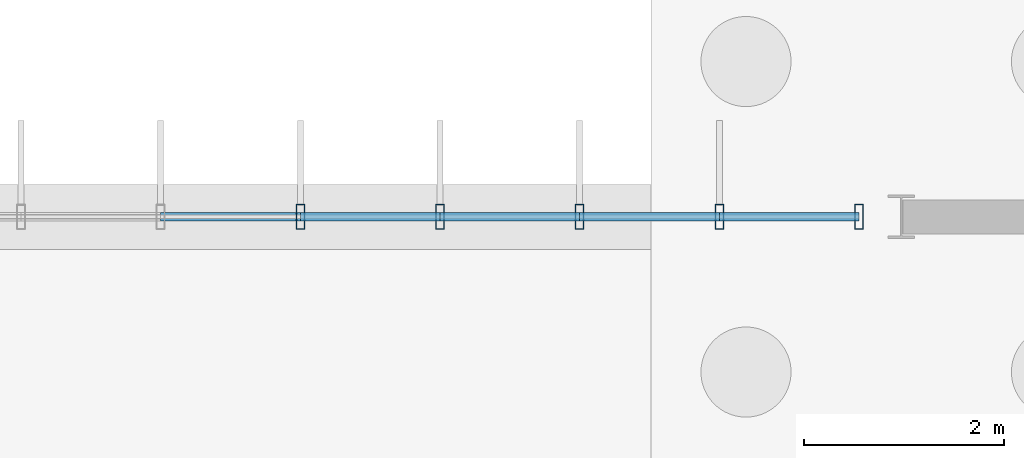
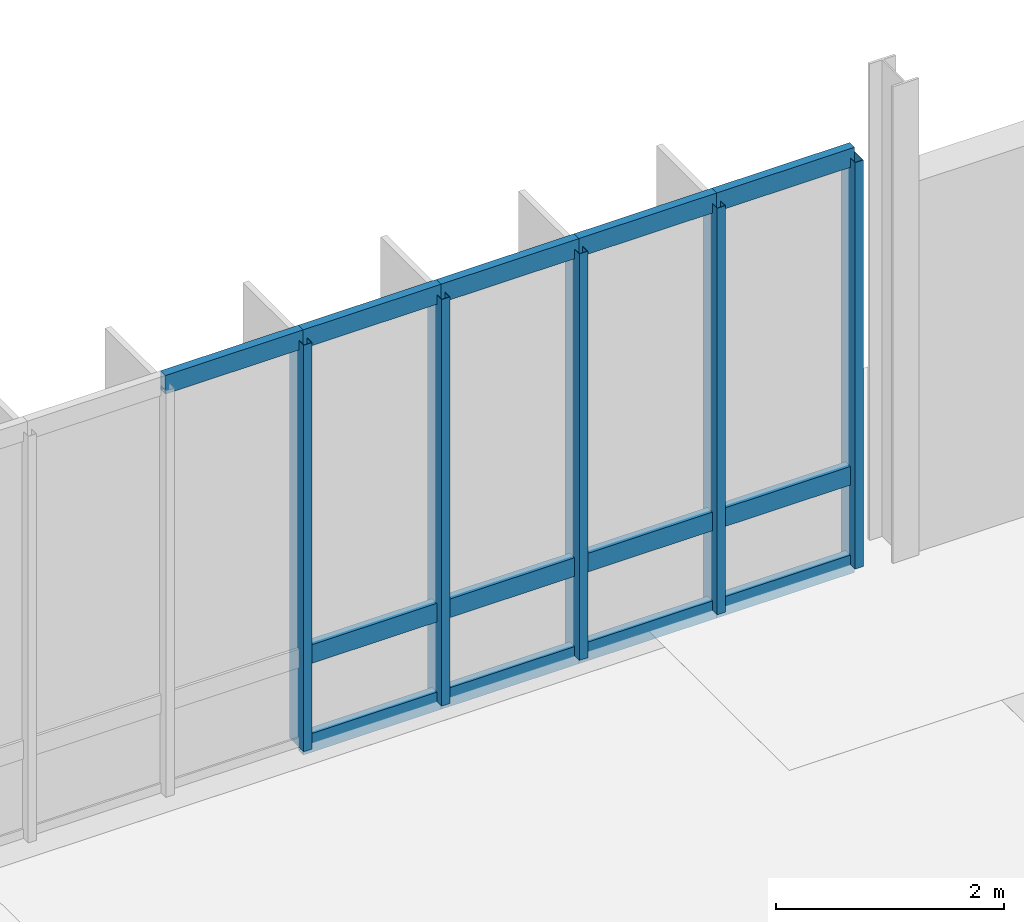
# One storey, part 63 of 119: 18 members, 1 element without a shape of its own.
"""IFC4 building model written with IfcOpenShell, lengths in metres."""

from ifc_helpers import new_model, si_unit, derived_unit, direction, frame, origin, origin_2d, place, context, subcontext, project, spatial, hollow_rectangle, extrude, material, layer, layer_set, material_profile, profile_set, type_object, element, aggregate, save


model = new_model("IFC4")

# Units and contexts
model_context = context("Model", 3, precision=1e-05, world=origin(), true_north=direction((0.0, 1.0)))
body_context = subcontext(model_context, "Body", "Model", "MODEL_VIEW")
ifc_project = project(units=[si_unit("LENGTHUNIT", "METRE"), si_unit("AREAUNIT", "SQUARE_METRE"), si_unit("VOLUMEUNIT", "CUBIC_METRE"), si_unit("PLANEANGLEUNIT", "RADIAN"), si_unit("MASSUNIT", "GRAM", prefix="KILO"), derived_unit("THERMALTRANSMITTANCEUNIT", [(si_unit("MASSUNIT", "GRAM", prefix="KILO"), 1), (si_unit("TIMEUNIT", "SECOND"), -3), (si_unit("THERMODYNAMICTEMPERATUREUNIT", "KELVIN"), -1)])], contexts=[model_context])

# Site, building, storey
site_placement = place(None, origin())
site = spatial("IfcSite", under=ifc_project, at=site_placement, CompositionType="ELEMENT")
building_placement = place(site_placement, origin())
building = spatial("IfcBuilding", under=site, at=building_placement, Name="Makaiwela Harbour Ferry Terminal", CompositionType="ELEMENT")
storey_placement = place(building_placement, origin())
storey = spatial("IfcBuildingStorey", under=building, at=storey_placement, Name="L00", CompositionType="ELEMENT", Elevation=0.0)

# Curtain wall, members
ifc_material = material(Name="Marine anodised aluminium 6063-T6", Category="aluminium")
ifc_layer = layer(ifc_material, 0.199951171875)
ifc_layer_set = layer_set([ifc_layer], Name="Marine anodised aluminium 6063-T6")
curtain_wall_type = type_object("IfcCurtainWallType", Name="ENV-CW-16", PredefinedType="USERDEFINED", material=ifc_layer_set)
curtain_wall_placement = place(storey_placement, origin())
curtain_wall = element("IfcCurtainWall", 1, at=curtain_wall_placement, inside=storey, type_object=curtain_wall_type, Name="Unitised Curtain Wall CWA-128", ObjectType="UNITIZED CURTAIN WALL", PredefinedType="USERDEFINED")
ifc_material_profile_1 = material_profile(ifc_material, hollow_rectangle(XDim=0.0849609375, YDim=0.25, WallThickness=0.0048828125, at=origin_2d()), Name="CWM-250X85")
ifc_profile_set_1 = profile_set([ifc_material_profile_1], Name="Marine anodised aluminium 6063-T6")
member_type_1 = type_object("IfcMemberType", Name="CW-MUL-250", PredefinedType="MULLION", material=ifc_profile_set_1)
member_1_placement = place(storey_placement, frame((161.39990234375, 95.0, 0.0), z_axis=(0.0, 0.0, 1.0), x_axis=(1.0, 0.0, 0.0)))
member_1 = element("IfcMember", 2, at=member_1_placement, type_object=member_type_1, Name="Curtain Wall Mullion CWA-128-5", PredefinedType="MULLION", context=body_context, shape_type="SweptSolid", body=[
    extrude(hollow_rectangle(XDim=0.0849609375, YDim=0.25, WallThickness=0.0048828125, at=origin_2d()), origin(), (0.0, 0.0, 1.0), 4.35009765625),
])
member_2_placement = place(storey_placement, frame((162.794921875, 95.0, 0.0), z_axis=(0.0, 0.0, 1.0), x_axis=(1.0, 0.0, 0.0)))
member_2 = element("IfcMember", 3, at=member_2_placement, type_object=member_type_1, Name="Curtain Wall Mullion CWA-128-6", PredefinedType="MULLION", context=body_context, shape_type="SweptSolid", body=[
    extrude(hollow_rectangle(XDim=0.0849609375, YDim=0.25, WallThickness=0.0048828125, at=origin_2d()), origin(), (0.0, 0.0, 1.0), 4.35009765625),
])
member_3_placement = place(storey_placement, frame((164.18994140625, 95.0, 0.0), z_axis=(0.0, 0.0, 1.0), x_axis=(1.0, 0.0, 0.0)))
member_3 = element("IfcMember", 4, at=member_3_placement, type_object=member_type_1, Name="Curtain Wall Mullion CWA-128-7", PredefinedType="MULLION", context=body_context, shape_type="SweptSolid", body=[
    extrude(hollow_rectangle(XDim=0.0849609375, YDim=0.25, WallThickness=0.0048828125, at=origin_2d()), origin(), (0.0, 0.0, 1.0), 4.35009765625),
])
member_4_placement = place(storey_placement, frame((165.5849609375, 95.0, 0.0), z_axis=(0.0, 0.0, 1.0), x_axis=(1.0, 0.0, 0.0)))
member_4 = element("IfcMember", 5, at=member_4_placement, type_object=member_type_1, Name="Curtain Wall Mullion CWA-128-8", PredefinedType="MULLION", context=body_context, shape_type="SweptSolid", body=[
    extrude(hollow_rectangle(XDim=0.0849609375, YDim=0.25, WallThickness=0.0048828125, at=origin_2d()), origin(), (0.0, 0.0, 1.0), 4.35009765625),
])
member_5_placement = place(storey_placement, frame((166.97998046875, 95.0, 0.0), z_axis=(0.0, 0.0, 1.0), x_axis=(1.0, 0.0, 0.0)))
member_5 = element("IfcMember", 6, at=member_5_placement, type_object=member_type_1, Name="Curtain Wall Mullion CWA-128-9", PredefinedType="MULLION", context=body_context, shape_type="SweptSolid", body=[
    extrude(hollow_rectangle(XDim=0.0849609375, YDim=0.25, WallThickness=0.0048828125, at=origin_2d()), origin(), (0.0, 0.0, 1.0), 4.35009765625),
])
ifc_material_profile_2 = material_profile(ifc_material, hollow_rectangle(XDim=0.0849609375, YDim=0.199951171875, WallThickness=0.0048828125, at=origin_2d()), Name="CWT-200X85")
ifc_profile_set_2 = profile_set([ifc_material_profile_2], Name="Marine anodised aluminium 6063-T6")
member_type_2 = type_object("IfcMemberType", Name="CW-TRN-200", PredefinedType="USERDEFINED", material=ifc_profile_set_2)
member_6_placement = place(storey_placement, frame((160.0048828125, 95.0, 4.35009765625), z_axis=(1.0, 0.0, 0.0), x_axis=(0.0, 1.0, 0.0)))
member_6 = element("IfcMember", 7, at=member_6_placement, type_object=member_type_2, Name="Curtain Wall Transom CWA-128-4-3", ObjectType="TRANSOM", PredefinedType="USERDEFINED", context=body_context, shape_type="SweptSolid", body=[
    extrude(hollow_rectangle(XDim=0.0849609375, YDim=0.199951171875, WallThickness=0.0048828125, at=origin_2d()), origin(), (0.0, 0.0, 1.0), 1.39501953125),
])
member_7_placement = place(storey_placement, frame((161.39990234375, 95.0, 0.0), z_axis=(1.0, 0.0, 0.0), x_axis=(0.0, 1.0, 0.0)))
member_7 = element("IfcMember", 8, at=member_7_placement, type_object=member_type_2, Name="Curtain Wall Transom CWA-128-5-1", ObjectType="TRANSOM", PredefinedType="USERDEFINED", context=body_context, shape_type="SweptSolid", body=[
    extrude(hollow_rectangle(XDim=0.0849609375, YDim=0.199951171875, WallThickness=0.0048828125, at=origin_2d()), origin(), (0.0, 0.0, 1.0), 1.39501953125),
])
member_8_placement = place(storey_placement, frame((161.39990234375, 95.0, 0.949951171875), z_axis=(1.0, 0.0, 0.0), x_axis=(0.0, 1.0, 0.0)))
member_8 = element("IfcMember", 9, at=member_8_placement, type_object=member_type_2, Name="Curtain Wall Transom CWA-128-5-2", ObjectType="TRANSOM", PredefinedType="USERDEFINED", context=body_context, shape_type="SweptSolid", body=[
    extrude(hollow_rectangle(XDim=0.0849609375, YDim=0.199951171875, WallThickness=0.0048828125, at=origin_2d()), origin(), (0.0, 0.0, 1.0), 1.39501953125),
])
member_9_placement = place(storey_placement, frame((161.39990234375, 95.0, 4.35009765625), z_axis=(1.0, 0.0, 0.0), x_axis=(0.0, 1.0, 0.0)))
member_9 = element("IfcMember", 10, at=member_9_placement, type_object=member_type_2, Name="Curtain Wall Transom CWA-128-5-3", ObjectType="TRANSOM", PredefinedType="USERDEFINED", context=body_context, shape_type="SweptSolid", body=[
    extrude(hollow_rectangle(XDim=0.0849609375, YDim=0.199951171875, WallThickness=0.0048828125, at=origin_2d()), origin(), (0.0, 0.0, 1.0), 1.39501953125),
])
member_10_placement = place(storey_placement, frame((162.794921875, 95.0, 0.0), z_axis=(1.0, 0.0, 0.0), x_axis=(0.0, 1.0, 0.0)))
member_10 = element("IfcMember", 11, at=member_10_placement, type_object=member_type_2, Name="Curtain Wall Transom CWA-128-6-1", ObjectType="TRANSOM", PredefinedType="USERDEFINED", context=body_context, shape_type="SweptSolid", body=[
    extrude(hollow_rectangle(XDim=0.0849609375, YDim=0.199951171875, WallThickness=0.0048828125, at=origin_2d()), origin(), (0.0, 0.0, 1.0), 1.39501953125),
])
member_11_placement = place(storey_placement, frame((162.794921875, 95.0, 0.949951171875), z_axis=(1.0, 0.0, 0.0), x_axis=(0.0, 1.0, 0.0)))
member_11 = element("IfcMember", 12, at=member_11_placement, type_object=member_type_2, Name="Curtain Wall Transom CWA-128-6-2", ObjectType="TRANSOM", PredefinedType="USERDEFINED", context=body_context, shape_type="SweptSolid", body=[
    extrude(hollow_rectangle(XDim=0.0849609375, YDim=0.199951171875, WallThickness=0.0048828125, at=origin_2d()), origin(), (0.0, 0.0, 1.0), 1.39501953125),
])
member_12_placement = place(storey_placement, frame((162.794921875, 95.0, 4.35009765625), z_axis=(1.0, 0.0, 0.0), x_axis=(0.0, 1.0, 0.0)))
member_12 = element("IfcMember", 13, at=member_12_placement, type_object=member_type_2, Name="Curtain Wall Transom CWA-128-6-3", ObjectType="TRANSOM", PredefinedType="USERDEFINED", context=body_context, shape_type="SweptSolid", body=[
    extrude(hollow_rectangle(XDim=0.0849609375, YDim=0.199951171875, WallThickness=0.0048828125, at=origin_2d()), origin(), (0.0, 0.0, 1.0), 1.39501953125),
])
member_13_placement = place(storey_placement, frame((164.18994140625, 95.0, 0.0), z_axis=(1.0, 0.0, 0.0), x_axis=(0.0, 1.0, 0.0)))
member_13 = element("IfcMember", 14, at=member_13_placement, type_object=member_type_2, Name="Curtain Wall Transom CWA-128-7-1", ObjectType="TRANSOM", PredefinedType="USERDEFINED", context=body_context, shape_type="SweptSolid", body=[
    extrude(hollow_rectangle(XDim=0.0849609375, YDim=0.199951171875, WallThickness=0.0048828125, at=origin_2d()), origin(), (0.0, 0.0, 1.0), 1.39501953125),
])
member_14_placement = place(storey_placement, frame((164.18994140625, 95.0, 0.949951171875), z_axis=(1.0, 0.0, 0.0), x_axis=(0.0, 1.0, 0.0)))
member_14 = element("IfcMember", 15, at=member_14_placement, type_object=member_type_2, Name="Curtain Wall Transom CWA-128-7-2", ObjectType="TRANSOM", PredefinedType="USERDEFINED", context=body_context, shape_type="SweptSolid", body=[
    extrude(hollow_rectangle(XDim=0.0849609375, YDim=0.199951171875, WallThickness=0.0048828125, at=origin_2d()), origin(), (0.0, 0.0, 1.0), 1.39501953125),
])
member_15_placement = place(storey_placement, frame((164.18994140625, 95.0, 4.35009765625), z_axis=(1.0, 0.0, 0.0), x_axis=(0.0, 1.0, 0.0)))
member_15 = element("IfcMember", 16, at=member_15_placement, type_object=member_type_2, Name="Curtain Wall Transom CWA-128-7-3", ObjectType="TRANSOM", PredefinedType="USERDEFINED", context=body_context, shape_type="SweptSolid", body=[
    extrude(hollow_rectangle(XDim=0.0849609375, YDim=0.199951171875, WallThickness=0.0048828125, at=origin_2d()), origin(), (0.0, 0.0, 1.0), 1.39501953125),
])
member_16_placement = place(storey_placement, frame((165.5849609375, 95.0, 0.0), z_axis=(1.0, 0.0, 0.0), x_axis=(0.0, 1.0, 0.0)))
member_16 = element("IfcMember", 17, at=member_16_placement, type_object=member_type_2, Name="Curtain Wall Transom CWA-128-8-1", ObjectType="TRANSOM", PredefinedType="USERDEFINED", context=body_context, shape_type="SweptSolid", body=[
    extrude(hollow_rectangle(XDim=0.0849609375, YDim=0.199951171875, WallThickness=0.0048828125, at=origin_2d()), origin(), (0.0, 0.0, 1.0), 1.39501953125),
])
member_17_placement = place(storey_placement, frame((165.5849609375, 95.0, 0.949951171875), z_axis=(1.0, 0.0, 0.0), x_axis=(0.0, 1.0, 0.0)))
member_17 = element("IfcMember", 18, at=member_17_placement, type_object=member_type_2, Name="Curtain Wall Transom CWA-128-8-2", ObjectType="TRANSOM", PredefinedType="USERDEFINED", context=body_context, shape_type="SweptSolid", body=[
    extrude(hollow_rectangle(XDim=0.0849609375, YDim=0.199951171875, WallThickness=0.0048828125, at=origin_2d()), origin(), (0.0, 0.0, 1.0), 1.39501953125),
])
member_18_placement = place(storey_placement, frame((165.5849609375, 95.0, 4.35009765625), z_axis=(1.0, 0.0, 0.0), x_axis=(0.0, 1.0, 0.0)))
member_18 = element("IfcMember", 19, at=member_18_placement, type_object=member_type_2, Name="Curtain Wall Transom CWA-128-8-3", ObjectType="TRANSOM", PredefinedType="USERDEFINED", context=body_context, shape_type="SweptSolid", body=[
    extrude(hollow_rectangle(XDim=0.0849609375, YDim=0.199951171875, WallThickness=0.0048828125, at=origin_2d()), origin(), (0.0, 0.0, 1.0), 1.39501953125),
])
aggregate(curtain_wall, [member_1, member_2, member_3, member_4, member_5, member_6, member_7, member_8, member_9, member_10, member_11, member_12, member_13, member_14, member_15, member_16, member_17, member_18])

save(model, "model.ifc")
